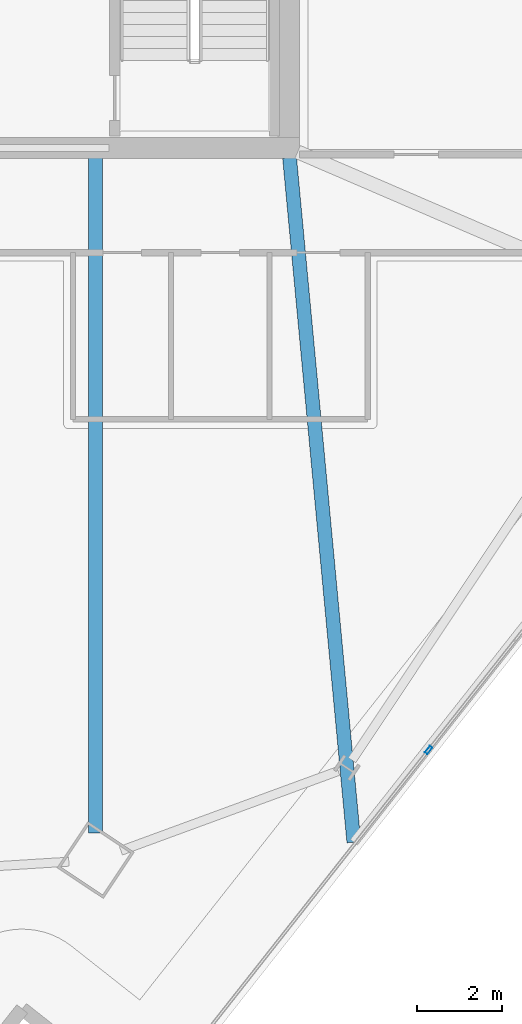
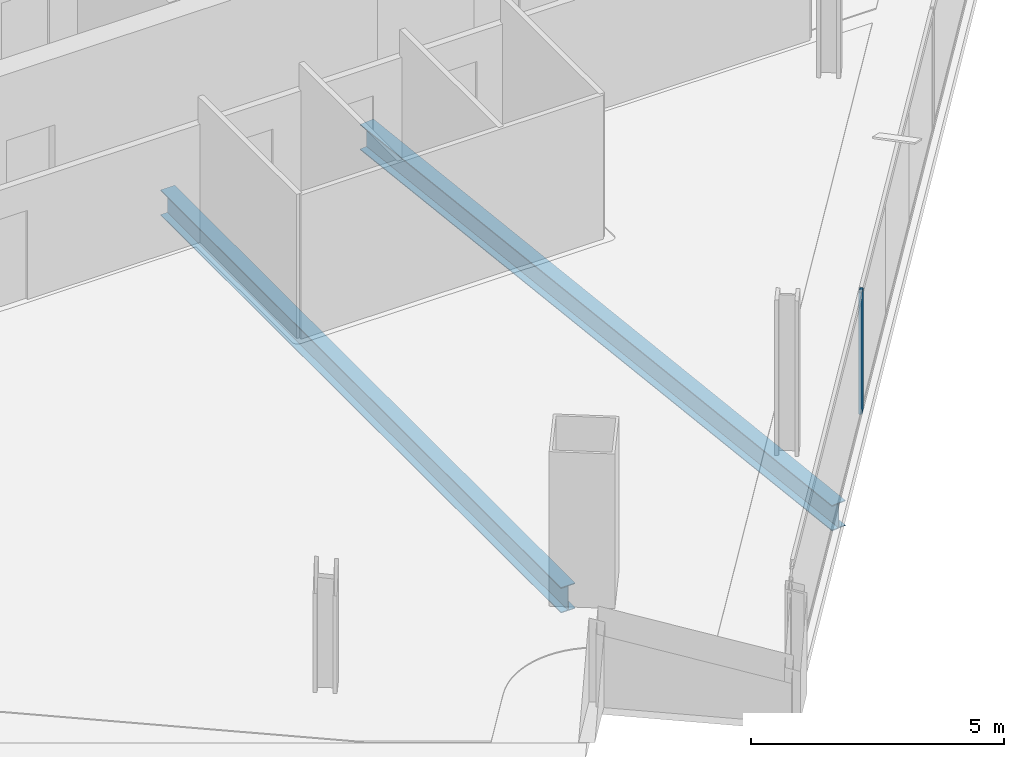
# One storey, part 9 of 28: 2 beams, 1 member, 1 element without a shape of its own.
"""IFC4 building model written with IfcOpenShell, lengths in metres."""

from ifc_helpers import new_model, si_unit, direction, frame, origin, origin_2d, place, context, subcontext, project, spatial, hollow_rectangle, i_section, extrude, material, material_profile, profile_set, type_object, element, aggregate, save


model = new_model("IFC4")

# Units and contexts
model_context = context("Model", 3, precision=1e-05, world=origin(), true_north=direction((0.0, 1.0)))
body_context = subcontext(model_context, "Body", "Model", "MODEL_VIEW")
ifc_project = project(units=[si_unit("LENGTHUNIT", "METRE"), si_unit("AREAUNIT", "SQUARE_METRE"), si_unit("VOLUMEUNIT", "CUBIC_METRE"), si_unit("PLANEANGLEUNIT", "RADIAN"), si_unit("MASSUNIT", "GRAM", prefix="KILO")], contexts=[model_context])

# Site, building, storey
site_placement = place(None, origin())
site = spatial("IfcSite", under=ifc_project, at=site_placement, CompositionType="ELEMENT")
building_placement = place(site_placement, origin())
building = spatial("IfcBuilding", under=site, at=building_placement, Name="Haldenkirk Collegiate Tower", CompositionType="ELEMENT")
storey_placement = place(building_placement, frame((0.0, 0.0, 202.199951171875)))
storey = spatial("IfcBuildingStorey", under=building, at=storey_placement, Name="L50", CompositionType="ELEMENT", Elevation=202.199951171875)

# Beams
ifc_material_1 = material(Name="Steel ASTM A992 Grade 50", Category="steel")
ifc_material_profile_1 = material_profile(ifc_material_1, i_section(OverallWidth=0.324951171875, OverallDepth=0.615966796875, WebThickness=0.013916015625, FlangeThickness=0.021484375, at=origin_2d()), Name="W24X117")
ifc_profile_set_1 = profile_set([ifc_material_profile_1], Name="Steel ASTM A992 Grade 50")
beam_type = type_object("IfcBeamType", Name="BM-GIRDER-W24X117", PredefinedType="BEAM", material=ifc_profile_set_1)
beam_1_placement = place(storey_placement, frame((40.482666015625, 1.962890625, -0.587890625), z_axis=(0.0, 1.0, 0.0), x_axis=(-1.0, 0.0, 0.0)))
element("IfcBeam", 1, at=beam_1_placement, inside=storey, type_object=beam_type, Name="L50 primary floor girder 01", PredefinedType="BEAM", context=body_context, shape_type="SweptSolid", body=[
    extrude(i_section(OverallWidth=0.324951171875, OverallDepth=0.615966796875, WebThickness=0.013916015625, FlangeThickness=0.021484375, at=origin_2d()), origin(), (0.0, 0.0, 1.0), 15.80712890625),
])
beam_2_placement = place(storey_placement, frame((46.526611328125, 1.74951171875, -0.587890625), z_axis=(-0.093532458603, 0.995616230878, 0.0), x_axis=(-0.995616230878, -0.093532458603, 0.0)))
element("IfcBeam", 2, at=beam_2_placement, inside=storey, type_object=beam_type, Name="L50 primary floor girder 05", PredefinedType="BEAM", context=body_context, shape_type="SweptSolid", body=[
    extrude(i_section(OverallWidth=0.324951171875, OverallDepth=0.615966796875, WebThickness=0.013916015625, FlangeThickness=0.021484375, at=origin_2d()), origin(), (0.0, 0.0, 1.0), 16.092041015625),
])

# Curtain wall, member
ifc_material_2 = material(Name="Anodised architectural bronze aluminium", Category="aluminium")
curtain_wall_type = type_object("IfcCurtainWallType", Name="CW-SYS2-CONCAVE", PredefinedType="USERDEFINED", material=ifc_material_2)
curtain_wall_placement = place(storey_placement, origin())
curtain_wall = element("IfcCurtainWall", 3, at=curtain_wall_placement, inside=storey, type_object=curtain_wall_type, Name="L50 South concave recessed bronze-anodised curtain wall", ObjectType="UNITISED CURTAIN WALL", PredefinedType="USERDEFINED")
ifc_material_profile_2 = material_profile(ifc_material_2, hollow_rectangle(XDim=0.074951171875, YDim=0.18994140625, WallThickness=0.0048828125, at=origin_2d()), Name="CW-MUL-02")
ifc_profile_set_2 = profile_set([ifc_material_profile_2], Name="Anodised architectural bronze aluminium")
member_type = type_object("IfcMemberType", Name="CW-MUL-02", PredefinedType="MULLION", material=ifc_profile_set_2)
member_placement = place(storey_placement, frame((48.27734375, 3.90576171875, 0.0), z_axis=(0.0, 0.0, 1.0), x_axis=(0.7853168725, -0.619094023365, 0.0)))
member = element("IfcMember", 4, at=member_placement, type_object=member_type, Name="CW-02 mullion 4", PredefinedType="MULLION", context=body_context, shape_type="SweptSolid", body=[
    extrude(hollow_rectangle(XDim=0.074951171875, YDim=0.18994140625, WallThickness=0.0048828125, at=origin_2d()), origin(), (0.0, 0.0, 1.0), 2.927978515625),
])
aggregate(curtain_wall, [member])

save(model, "model.ifc")
